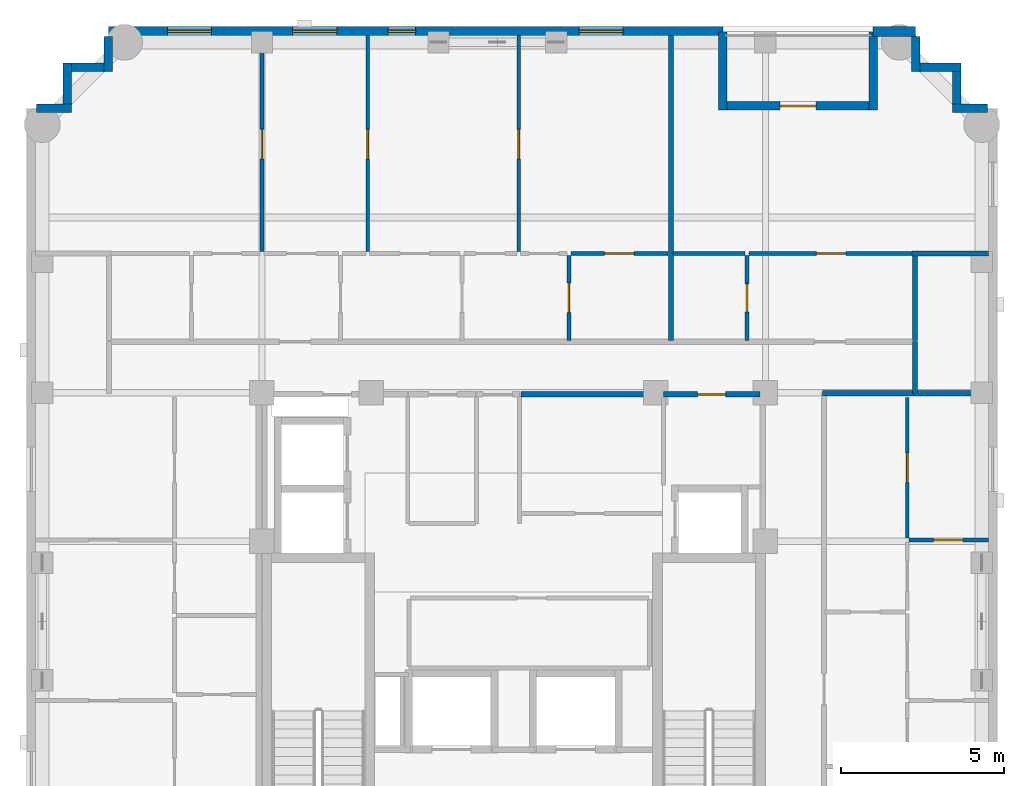
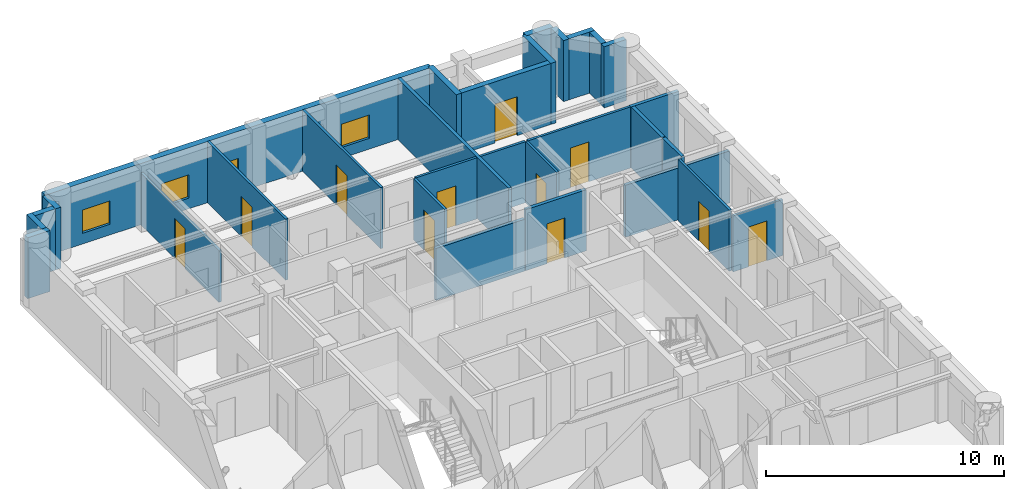
# One storey, part 7 of 11: 30 walls, 11 doors, 4 windows, 15 openings.
"""IFC4 building model written with IfcOpenShell, lengths in metres."""

from ifc_helpers import new_model, si_unit, derived_unit, direction, frame, frame_2d, origin, place, context, subcontext, project, spatial, rectangle, extrude, material, layer, layer_set, type_object, element, fill, save


model = new_model("IFC4")

# Units and contexts
model_context = context("Model", 3, precision=1e-05, world=origin(), true_north=direction((0.0, 1.0)))
body_context = subcontext(model_context, "Body", "Model", "MODEL_VIEW")
ifc_project = project(units=[si_unit("LENGTHUNIT", "METRE"), si_unit("AREAUNIT", "SQUARE_METRE"), si_unit("VOLUMEUNIT", "CUBIC_METRE"), si_unit("PLANEANGLEUNIT", "RADIAN"), si_unit("MASSUNIT", "GRAM", prefix="KILO"), derived_unit("THERMALTRANSMITTANCEUNIT", [(si_unit("MASSUNIT", "GRAM", prefix="KILO"), 1), (si_unit("TIMEUNIT", "SECOND"), -3), (si_unit("THERMODYNAMICTEMPERATUREUNIT", "KELVIN"), -1)])], contexts=[model_context])

# Site, building, storey
site_placement = place(None, origin())
site = spatial("IfcSite", under=ifc_project, at=site_placement, CompositionType="ELEMENT")
building_placement = place(site_placement, origin())
building = spatial("IfcBuilding", under=site, at=building_placement, Name="Korrvale Station Residences", CompositionType="ELEMENT")
storey_placement = place(building_placement, frame((0.0, 0.0, 224.10009765625)))
storey = spatial("IfcBuildingStorey", under=building, at=storey_placement, Name="L65", CompositionType="ELEMENT", Elevation=224.10009765625)

# Wall
ifc_material_1 = material(Name="Precast concrete C45/55", Category="concrete")
ifc_layer_1 = layer(ifc_material_1, 0.260009765625, Name="Precast concrete C45/55")
ifc_layer_set_1 = layer_set([ifc_layer_1], Name="Precast concrete C45/55")
wall_type_1 = type_object("IfcWallType", Name="WAL-EXT-LOG260", PredefinedType="SOLIDWALL", material=ifc_layer_set_1)
wall_1_placement = place(storey_placement, frame((31.89990234375, 40.0400390625, 0.0), z_axis=(0.0, 0.0, 1.0), x_axis=(0.0, -1.0, 0.0)))
element("IfcWall", 1, at=wall_1_placement, inside=storey, type_object=wall_type_1, Name="L65 Recessed Loggia Wall BAL-L65-N1-L", PredefinedType="SOLIDWALL", context=body_context, shape_type="SweptSolid", body=[
    extrude(rectangle(XDim=2.400146484375, YDim=0.260009765625, at=frame_2d((1.2001953125, 0.0))), origin(), (0.0, 0.0, 1.0), 3.139892578125),
])

# Wall, opening, door
wall_2_placement = place(storey_placement, frame((32.033935546875, 37.77001953125, 0.0), z_axis=(0.0, 0.0, 1.0), x_axis=(1.0, 0.0, 0.0)))
wall_2 = element("IfcWall", 2, at=wall_2_placement, inside=storey, type_object=wall_type_1, Name="L65 Recessed Loggia Wall BAL-L65-N1-B", PredefinedType="SOLIDWALL", context=body_context, shape_type="SweptSolid", body=[
    extrude(rectangle(XDim=4.33203125, YDim=0.260009765625, at=frame_2d((2.166015625, 0.0))), origin(), (0.0, 0.0, 1.0), 3.139892578125),
])
opening_1_placement = place(wall_2_placement, frame((1.615966796875, 0.0, 0.0)))
opening_1 = element("IfcOpeningElement", 3, at=opening_1_placement, cuts=wall_2, Name="Opening BD-01", PredefinedType="OPENING", context=body_context, shape_type="SweptSolid", body=[
    extrude(rectangle(XDim=1.10009765625, YDim=2.0, at=frame_2d((0.550048828125, 1.0))), frame((0.0, 0.14013671875, 0.0), z_axis=(0.0, -1.0, 0.0), x_axis=(1.0, 0.0, 0.0)), (0.0, 0.0, 1.0), 0.280029296875),
])
ifc_material_2 = material(Name="Exterior thermally broken aluminium glazed balcony door", Category="aluminium")
door_type_1 = type_object("IfcDoorType", Name="DR-EXT-BAL", OperationType="NOTDEFINED", PredefinedType="DOOR", material=ifc_material_2)
door_1_placement = place(opening_1_placement, origin())
door_1 = element("IfcDoor", 4, at=door_1_placement, inside=storey, type_object=door_type_1, Name="L65 Loggia Balcony Door BAL-L65-N1", OperationType="SINGLE_SWING_LEFT", OverallHeight=2.0, OverallWidth=1.10009765625, PredefinedType="DOOR", context=body_context, shape_type="SweptSolid", body=[
    extrude(rectangle(XDim=1.10009765625, YDim=2.0, at=frame_2d((0.550048828125, 1.0))), frame((0.0, 0.02490234375, 0.0), z_axis=(0.0, -1.0, 0.0), x_axis=(1.0, 0.0, 0.0)), (0.0, 0.0, 1.0), 0.050048828125),
])
fill(opening_1, door_1)

# Walls
wall_3_placement = place(storey_placement, frame((36.5, 37.639892578125, 0.0), z_axis=(0.0, 0.0, 1.0), x_axis=(0.0, 1.0, 0.0)))
element("IfcWall", 5, at=wall_3_placement, inside=storey, type_object=wall_type_1, Name="L65 Recessed Loggia Wall BAL-L65-N1-R", PredefinedType="SOLIDWALL", context=body_context, shape_type="SweptSolid", body=[
    extrude(rectangle(XDim=2.400146484375, YDim=0.260009765625, at=frame_2d((1.2001953125, 0.0))), origin(), (0.0, 0.0, 1.0), 3.139892578125),
])
wall_4_placement = place(storey_placement, frame((10.902099609375, 37.699951171875, 0.0), z_axis=(0.0, 0.0, 1.0), x_axis=(1.0, 0.0, 0.0)))
element("IfcWall", 6, at=wall_4_placement, inside=storey, type_object=wall_type_1, Name="L65 Serrated Corner Precast Step NW-1", PredefinedType="SOLIDWALL", context=body_context, shape_type="SweptSolid", body=[
    extrude(rectangle(XDim=1.077880859375, YDim=0.260009765625, at=frame_2d((0.5390625, 0.0))), origin(), (0.0, 0.0, 1.0), 3.139892578125),
])
wall_5_placement = place(storey_placement, frame((11.85009765625, 37.83203125, 0.0), z_axis=(0.0, 0.0, 1.0), x_axis=(0.0, 1.0, 0.0)))
element("IfcWall", 7, at=wall_5_placement, inside=storey, type_object=wall_type_1, Name="L65 Serrated Corner Precast Step NW-2", PredefinedType="SOLIDWALL", context=body_context, shape_type="SweptSolid", body=[
    extrude(rectangle(XDim=1.248046875, YDim=0.260009765625, at=frame_2d((0.6240234375, 0.0))), origin(), (0.0, 0.0, 1.0), 3.139892578125),
])
wall_6_placement = place(storey_placement, frame((11.98193359375, 38.949951171875, 0.0), z_axis=(0.0, 0.0, 1.0), x_axis=(1.0, 0.0, 0.0)))
element("IfcWall", 8, at=wall_6_placement, inside=storey, type_object=wall_type_1, Name="L65 Serrated Corner Precast Step NW-3", PredefinedType="SOLIDWALL", context=body_context, shape_type="SweptSolid", body=[
    extrude(rectangle(XDim=0.986083984375, YDim=0.260009765625, at=frame_2d((0.4931640625, 0.0))), origin(), (0.0, 0.0, 1.0), 3.139892578125),
])
for number, where, z_axis, x_axis, name in (
    (9, (13.10009765625, 38.820068359375, 0.0), (0.0, 0.0, 1.0), (0.0, 1.0, 0.0), "L65 Serrated Corner Precast Step NW-4"),
    (10, (37.800048828125, 39.89794921875, 0.0), (0.0, 0.0, 1.0), (0.0, -1.0, 0.0), "L65 Serrated Corner Precast Step NE-1"),
):
    element("IfcWall", number, at=place(storey_placement, frame(where, z_axis=z_axis, x_axis=x_axis)), inside=storey, type_object=wall_type_1, Name=name, PredefinedType="SOLIDWALL", context=body_context, shape_type="SweptSolid", body=[
        extrude(rectangle(XDim=1.077880859375, YDim=0.260009765625, at=frame_2d((0.5390625, 0.0))), origin(), (0.0, 0.0, 1.0), 3.139892578125),
    ])
wall_7_placement = place(storey_placement, frame((37.931884765625, 38.949951171875, 0.0), z_axis=(0.0, 0.0, 1.0), x_axis=(1.0, 0.0, 0.0)))
element("IfcWall", 11, at=wall_7_placement, inside=storey, type_object=wall_type_1, Name="L65 Serrated Corner Precast Step NE-2", PredefinedType="SOLIDWALL", context=body_context, shape_type="SweptSolid", body=[
    extrude(rectangle(XDim=1.248046875, YDim=0.260009765625, at=frame_2d((0.6240234375, 0.0))), origin(), (0.0, 0.0, 1.0), 3.139892578125),
])
wall_8_placement = place(storey_placement, frame((39.050048828125, 38.818115234375, 0.0), z_axis=(0.0, 0.0, 1.0), x_axis=(0.0, -1.0, 0.0)))
element("IfcWall", 12, at=wall_8_placement, inside=storey, type_object=wall_type_1, Name="L65 Serrated Corner Precast Step NE-3", PredefinedType="SOLIDWALL", context=body_context, shape_type="SweptSolid", body=[
    extrude(rectangle(XDim=0.986083984375, YDim=0.260009765625, at=frame_2d((0.4931640625, 0.0))), origin(), (0.0, 0.0, 1.0), 3.139892578125),
])
wall_9_placement = place(storey_placement, frame((38.919921875, 37.699951171875, 0.0), z_axis=(0.0, 0.0, 1.0), x_axis=(1.0, 0.0, 0.0)))
element("IfcWall", 13, at=wall_9_placement, inside=storey, type_object=wall_type_1, Name="L65 Serrated Corner Precast Step NE-4", PredefinedType="SOLIDWALL", context=body_context, shape_type="SweptSolid", body=[
    extrude(rectangle(XDim=1.078125, YDim=0.260009765625, at=frame_2d((0.5390625, 0.0))), origin(), (0.0, 0.0, 1.0), 3.139892578125),
])

# Wall, openings, windows
ifc_layer_2 = layer(ifc_material_1, 0.300048828125, Name="Precast concrete C45/55")
ifc_layer_set_2 = layer_set([ifc_layer_2], Name="Precast concrete C45/55")
wall_type_2 = type_object("IfcWallType", Name="WAL-EXT-PC300", PredefinedType="SOLIDWALL", material=ifc_layer_set_2)
wall_10_placement = place(storey_placement, frame((13.10009765625, 40.050048828125, 0.0), z_axis=(0.0, 0.0, 1.0), x_axis=(1.0, 0.0, 0.0)))
wall_10 = element("IfcWall", 14, at=wall_10_placement, inside=storey, type_object=wall_type_2, Name="L65 North Exterior Precast Wall 1", PredefinedType="SOLIDWALL", context=body_context, shape_type="SweptSolid", body=[
    extrude(rectangle(XDim=18.7998046875, YDim=0.300048828125, at=frame_2d((9.39990234375, 0.0))), origin(), (0.0, 0.0, 1.0), 3.139892578125),
])
opening_2_placement = place(wall_10_placement, frame((1.805908203125, 0.0, 0.550048828125)))
opening_2 = element("IfcOpeningElement", 15, at=opening_2_placement, cuts=wall_10, Name="Opening W-10", PredefinedType="OPENING", context=body_context, shape_type="SweptSolid", body=[
    extrude(rectangle(XDim=1.35009765625, YDim=1.199951171875, at=frame_2d((0.675048828125, 0.60009765625))), frame((0.0, 0.16015625, 0.0), z_axis=(0.0, -1.0, 0.0), x_axis=(1.0, 0.0, 0.0)), (0.0, 0.0, 1.0), 0.320068359375),
])
opening_3_placement = place(wall_10_placement, frame((5.64111328125, 0.0, 0.550048828125)))
opening_3 = element("IfcOpeningElement", 16, at=opening_3_placement, cuts=wall_10, Name="Opening W-10", PredefinedType="OPENING", context=body_context, shape_type="SweptSolid", body=[
    extrude(rectangle(XDim=1.35009765625, YDim=1.199951171875, at=frame_2d((0.675048828125, 0.60009765625))), frame((0.0, 0.16015625, 0.0), z_axis=(0.0, -1.0, 0.0), x_axis=(1.0, 0.0, 0.0)), (0.0, 0.0, 1.0), 0.320068359375),
])
opening_4_placement = place(wall_10_placement, frame((8.550048828125, 0.0, 0.550048828125)))
opening_4 = element("IfcOpeningElement", 17, at=opening_4_placement, cuts=wall_10, Name="Opening W-11", PredefinedType="OPENING", context=body_context, shape_type="SweptSolid", body=[
    extrude(rectangle(XDim=0.85009765625, YDim=1.199951171875, at=frame_2d((0.425048828125, 0.60009765625))), frame((0.0, 0.16015625, 0.0), z_axis=(0.0, -1.0, 0.0), x_axis=(1.0, 0.0, 0.0)), (0.0, 0.0, 1.0), 0.320068359375),
])
opening_5_placement = place(wall_10_placement, frame((14.39990234375, 0.0, 0.550048828125)))
opening_5 = element("IfcOpeningElement", 18, at=opening_5_placement, cuts=wall_10, Name="Opening W-10", PredefinedType="OPENING", context=body_context, shape_type="SweptSolid", body=[
    extrude(rectangle(XDim=1.35009765625, YDim=1.199951171875, at=frame_2d((0.675048828125, 0.60009765625))), frame((0.0, 0.16015625, 0.0), z_axis=(0.0, -1.0, 0.0), x_axis=(1.0, 0.0, 0.0)), (0.0, 0.0, 1.0), 0.320068359375),
])
ifc_material_3 = material(Name="Thermally broken aluminium frame with triple low-e glazing", Category="aluminium")
window_type_1 = type_object("IfcWindowType", Name="WIN-W10", PartitioningType="SINGLE_PANEL", PredefinedType="WINDOW", material=ifc_material_3)
window_1_placement = place(opening_2_placement, origin())
window_1 = element("IfcWindow", 19, at=window_1_placement, inside=storey, type_object=window_type_1, Name="L65 Punched Window 08", OverallHeight=1.199951171875, OverallWidth=1.35009765625, PartitioningType="SINGLE_PANEL", PredefinedType="WINDOW", context=body_context, shape_type="SweptSolid", body=[
    extrude(rectangle(XDim=1.35009765625, YDim=1.199951171875, at=frame_2d((0.675048828125, 0.60009765625))), frame((0.0, 0.030029296875, 0.0), z_axis=(0.0, -1.0, 0.0), x_axis=(1.0, 0.0, 0.0)), (0.0, 0.0, 1.0), 0.06005859375),
])
fill(opening_2, window_1)
window_2_placement = place(opening_3_placement, origin())
window_2 = element("IfcWindow", 20, at=window_2_placement, inside=storey, type_object=window_type_1, Name="L65 Punched Window 09", OverallHeight=1.199951171875, OverallWidth=1.35009765625, PartitioningType="SINGLE_PANEL", PredefinedType="WINDOW", context=body_context, shape_type="SweptSolid", body=[
    extrude(rectangle(XDim=1.35009765625, YDim=1.199951171875, at=frame_2d((0.675048828125, 0.60009765625))), frame((0.0, 0.030029296875, 0.0), z_axis=(0.0, -1.0, 0.0), x_axis=(1.0, 0.0, 0.0)), (0.0, 0.0, 1.0), 0.06005859375),
])
fill(opening_3, window_2)
window_3_placement = place(opening_5_placement, origin())
window_3 = element("IfcWindow", 21, at=window_3_placement, inside=storey, type_object=window_type_1, Name="L65 Punched Window 11", OverallHeight=1.199951171875, OverallWidth=1.35009765625, PartitioningType="SINGLE_PANEL", PredefinedType="WINDOW", context=body_context, shape_type="SweptSolid", body=[
    extrude(rectangle(XDim=1.35009765625, YDim=1.199951171875, at=frame_2d((0.675048828125, 0.60009765625))), frame((0.0, 0.030029296875, 0.0), z_axis=(0.0, -1.0, 0.0), x_axis=(1.0, 0.0, 0.0)), (0.0, 0.0, 1.0), 0.06005859375),
])
fill(opening_5, window_3)
window_type_2 = type_object("IfcWindowType", Name="WIN-W11", PartitioningType="SINGLE_PANEL", PredefinedType="WINDOW", material=ifc_material_3)
window_4_placement = place(opening_4_placement, origin())
window_4 = element("IfcWindow", 22, at=window_4_placement, inside=storey, type_object=window_type_2, Name="L65 Punched Window 10", OverallHeight=1.199951171875, OverallWidth=0.85009765625, PartitioningType="SINGLE_PANEL", PredefinedType="WINDOW", context=body_context, shape_type="SweptSolid", body=[
    extrude(rectangle(XDim=0.85009765625, YDim=1.199951171875, at=frame_2d((0.425048828125, 0.60009765625))), frame((0.0, 0.030029296875, 0.0), z_axis=(0.0, -1.0, 0.0), x_axis=(1.0, 0.0, 0.0)), (0.0, 0.0, 1.0), 0.06005859375),
])
fill(opening_4, window_4)

# Wall
wall_11_placement = place(storey_placement, frame((36.5, 40.050048828125, 0.0), z_axis=(0.0, 0.0, 1.0), x_axis=(1.0, 0.0, 0.0)))
element("IfcWall", 23, at=wall_11_placement, inside=storey, type_object=wall_type_2, Name="L65 North Exterior Precast Wall 2", PredefinedType="SOLIDWALL", context=body_context, shape_type="SweptSolid", body=[
    extrude(rectangle(XDim=1.300048828125, YDim=0.300048828125, at=frame_2d((0.64990234375, 0.0))), origin(), (0.0, 0.0, 1.0), 3.139892578125),
])

# Wall, opening, door
ifc_material_4 = material(Name="Acoustic steel-stud gypsum board partition", Category="steel")
ifc_layer_3 = layer(ifc_material_4, 0.1201171875, Name="Acoustic steel-stud gypsum board partition")
ifc_layer_set_3 = layer_set([ifc_layer_3], Name="Acoustic steel-stud gypsum board partition")
wall_type_3 = type_object("IfcWallType", Name="WAL-PART-125", PredefinedType="PARTITIONING", material=ifc_layer_set_3)
wall_12_placement = place(storey_placement, frame((27.18994140625, 30.60009765625, 0.0), z_axis=(0.0, 0.0, 1.0), x_axis=(0.0, 1.0, 0.0)))
wall_12 = element("IfcWall", 24, at=wall_12_placement, inside=storey, type_object=wall_type_3, Name="L65 Suite Partition U02-V34", PredefinedType="PARTITIONING", context=body_context, shape_type="SweptSolid", body=[
    extrude(rectangle(XDim=2.599853515625, YDim=0.1201171875, at=frame_2d((1.2998046875, 0.0))), origin(), (0.0, 0.0, 1.0), 3.139892578125),
])
opening_6_placement = place(wall_12_placement, frame((0.85009765625, 0.0, 0.0)))
opening_6 = element("IfcOpeningElement", 25, at=opening_6_placement, cuts=wall_12, Name="Opening DI-900", PredefinedType="OPENING", context=body_context, shape_type="SweptSolid", body=[
    extrude(rectangle(XDim=0.89990234375, YDim=2.050048828125, at=frame_2d((0.449951171875, 1.02490234375))), frame((0.0, 0.070068359375, 0.0), z_axis=(0.0, -1.0, 0.0), x_axis=(1.0, 0.0, 0.0)), (0.0, 0.0, 1.0), 0.14013671875),
])
ifc_material_5 = material(Name="Painted solid-core timber interior room door", Category="wood")
door_type_2 = type_object("IfcDoorType", Name="DR-INT-900", OperationType="NOTDEFINED", PredefinedType="DOOR", material=ifc_material_5)
door_2_placement = place(opening_6_placement, origin())
door_2 = element("IfcDoor", 26, at=door_2_placement, inside=storey, type_object=door_type_2, Name="L65 Apartment 2BR L65-U02 Storage Closet 2 Door", OperationType="SINGLE_SWING_LEFT", OverallHeight=2.050048828125, OverallWidth=0.89990234375, PredefinedType="DOOR", context=body_context, shape_type="SweptSolid", body=[
    extrude(rectangle(XDim=0.89990234375, YDim=2.050048828125, at=frame_2d((0.449951171875, 1.02490234375))), frame((0.0, 0.02490234375, 0.0), z_axis=(0.0, -1.0, 0.0), x_axis=(1.0, 0.0, 0.0)), (0.0, 0.0, 1.0), 0.050048828125),
])
fill(opening_6, door_2)

wall_13_placement = place(storey_placement, frame((27.25, 33.260009765625, 0.0), z_axis=(0.0, 0.0, 1.0), x_axis=(1.0, 0.0, 0.0)))
wall_13 = element("IfcWall", 27, at=wall_13_placement, inside=storey, type_object=wall_type_3, Name="L65 Suite Partition U02-H48", PredefinedType="PARTITIONING", context=body_context, shape_type="SweptSolid", body=[
    extrude(rectangle(XDim=2.967041015625, YDim=0.1201171875, at=frame_2d((1.4833984375, 0.0))), origin(), (0.0, 0.0, 1.0), 3.139892578125),
])
opening_7_placement = place(wall_13_placement, frame((1.032958984375, 0.0, 0.0)))
opening_7 = element("IfcOpeningElement", 28, at=opening_7_placement, cuts=wall_13, Name="Opening DI-900", PredefinedType="OPENING", context=body_context, shape_type="SweptSolid", body=[
    extrude(rectangle(XDim=0.89990234375, YDim=2.050048828125, at=frame_2d((0.449951171875, 1.02490234375))), frame((0.0, 0.070068359375, 0.0), z_axis=(0.0, -1.0, 0.0), x_axis=(1.0, 0.0, 0.0)), (0.0, 0.0, 1.0), 0.14013671875),
])
door_3_placement = place(opening_7_placement, origin())
door_3 = element("IfcDoor", 29, at=door_3_placement, inside=storey, type_object=door_type_2, Name="L65 Apartment 2BR L65-U02 Storage Closet 3 Door", OperationType="SINGLE_SWING_RIGHT", OverallHeight=2.050048828125, OverallWidth=0.89990234375, PredefinedType="DOOR", context=body_context, shape_type="SweptSolid", body=[
    extrude(rectangle(XDim=0.89990234375, YDim=2.050048828125, at=frame_2d((0.449951171875, 1.02490234375))), frame((0.0, 0.02490234375, 0.0), z_axis=(0.0, -1.0, 0.0), x_axis=(1.0, 0.0, 0.0)), (0.0, 0.0, 1.0), 0.050048828125),
])
fill(opening_7, door_3)

wall_14_placement = place(storey_placement, frame((17.800048828125, 33.320068359375, 0.0), z_axis=(0.0, 0.0, 1.0), x_axis=(0.0, 1.0, 0.0)))
wall_14 = element("IfcWall", 30, at=wall_14_placement, inside=storey, type_object=wall_type_3, Name="L65 Suite Partition U02-V56", PredefinedType="PARTITIONING", context=body_context, shape_type="SweptSolid", body=[
    extrude(rectangle(XDim=6.599853515625, YDim=0.1201171875, at=frame_2d((3.2998046875, 0.0))), origin(), (0.0, 0.0, 1.0), 2.66796875),
])
opening_8_placement = place(wall_14_placement, frame((2.8349609375, 0.0, 0.0)))
opening_8 = element("IfcOpeningElement", 31, at=opening_8_placement, cuts=wall_14, Name="Opening DI-900", PredefinedType="OPENING", context=body_context, shape_type="SweptSolid", body=[
    extrude(rectangle(XDim=0.89990234375, YDim=2.050048828125, at=frame_2d((0.449951171875, 1.02490234375))), frame((0.0, 0.070068359375, 0.0), z_axis=(0.0, -1.0, 0.0), x_axis=(1.0, 0.0, 0.0)), (0.0, 0.0, 1.0), 0.14013671875),
])
door_4_placement = place(opening_8_placement, origin())
door_4 = element("IfcDoor", 32, at=door_4_placement, inside=storey, type_object=door_type_2, Name="L65 Apartment 2BR L65-U02 Living and Dining Room Door", OperationType="SINGLE_SWING_LEFT", OverallHeight=2.050048828125, OverallWidth=0.89990234375, PredefinedType="DOOR", context=body_context, shape_type="SweptSolid", body=[
    extrude(rectangle(XDim=0.89990234375, YDim=2.050048828125, at=frame_2d((0.449951171875, 1.02490234375))), frame((0.0, 0.02490234375, 0.0), z_axis=(0.0, -1.0, 0.0), x_axis=(1.0, 0.0, 0.0)), (0.0, 0.0, 1.0), 0.050048828125),
])
fill(opening_8, door_4)

wall_15_placement = place(storey_placement, frame((21.037109375, 33.320068359375, 0.0), z_axis=(0.0, 0.0, 1.0), x_axis=(0.0, 1.0, 0.0)))
wall_15 = element("IfcWall", 33, at=wall_15_placement, inside=storey, type_object=wall_type_3, Name="L65 Suite Partition U02-V67", PredefinedType="PARTITIONING", context=body_context, shape_type="SweptSolid", body=[
    extrude(rectangle(XDim=6.599853515625, YDim=0.1201171875, at=frame_2d((3.2998046875, 0.0))), origin(), (0.0, 0.0, 1.0), 3.139892578125),
])
opening_9_placement = place(wall_15_placement, frame((2.8349609375, 0.0, 0.0)))
opening_9 = element("IfcOpeningElement", 34, at=opening_9_placement, cuts=wall_15, Name="Opening DI-900", PredefinedType="OPENING", context=body_context, shape_type="SweptSolid", body=[
    extrude(rectangle(XDim=0.89990234375, YDim=2.050048828125, at=frame_2d((0.449951171875, 1.02490234375))), frame((0.0, 0.070068359375, 0.0), z_axis=(0.0, -1.0, 0.0), x_axis=(1.0, 0.0, 0.0)), (0.0, 0.0, 1.0), 0.14013671875),
])
door_5_placement = place(opening_9_placement, origin())
door_5 = element("IfcDoor", 35, at=door_5_placement, inside=storey, type_object=door_type_2, Name="L65 Apartment 2BR L65-U02 Formal Dining Room Door", OperationType="SINGLE_SWING_RIGHT", OverallHeight=2.050048828125, OverallWidth=0.89990234375, PredefinedType="DOOR", context=body_context, shape_type="SweptSolid", body=[
    extrude(rectangle(XDim=0.89990234375, YDim=2.050048828125, at=frame_2d((0.449951171875, 1.02490234375))), frame((0.0, 0.02490234375, 0.0), z_axis=(0.0, -1.0, 0.0), x_axis=(1.0, 0.0, 0.0)), (0.0, 0.0, 1.0), 0.050048828125),
])
fill(opening_9, door_5)

wall_16_placement = place(storey_placement, frame((25.656982421875, 33.320068359375, 0.0), z_axis=(0.0, 0.0, 1.0), x_axis=(0.0, 1.0, 0.0)))
wall_16 = element("IfcWall", 36, at=wall_16_placement, inside=storey, type_object=wall_type_3, Name="L65 Suite Partition U02-V78", PredefinedType="PARTITIONING", context=body_context, shape_type="SweptSolid", body=[
    extrude(rectangle(XDim=6.599853515625, YDim=0.1201171875, at=frame_2d((3.2998046875, 0.0))), origin(), (0.0, 0.0, 1.0), 3.139892578125),
])
opening_10_placement = place(wall_16_placement, frame((2.8349609375, 0.0, 0.0)))
opening_10 = element("IfcOpeningElement", 37, at=opening_10_placement, cuts=wall_16, Name="Opening DI-900", PredefinedType="OPENING", context=body_context, shape_type="SweptSolid", body=[
    extrude(rectangle(XDim=0.89990234375, YDim=2.050048828125, at=frame_2d((0.449951171875, 1.02490234375))), frame((0.0, 0.070068359375, 0.0), z_axis=(0.0, -1.0, 0.0), x_axis=(1.0, 0.0, 0.0)), (0.0, 0.0, 1.0), 0.14013671875),
])
door_6_placement = place(opening_10_placement, origin())
door_6 = element("IfcDoor", 38, at=door_6_placement, inside=storey, type_object=door_type_2, Name="L65 Apartment 2BR L65-U02 Bedroom 1 Door", OperationType="SINGLE_SWING_LEFT", OverallHeight=2.050048828125, OverallWidth=0.89990234375, PredefinedType="DOOR", context=body_context, shape_type="SweptSolid", body=[
    extrude(rectangle(XDim=0.89990234375, YDim=2.050048828125, at=frame_2d((0.449951171875, 1.02490234375))), frame((0.0, 0.02490234375, 0.0), z_axis=(0.0, -1.0, 0.0), x_axis=(1.0, 0.0, 0.0)), (0.0, 0.0, 1.0), 0.050048828125),
])
fill(opening_10, door_6)

wall_17_placement = place(storey_placement, frame((32.639892578125, 30.60009765625, 0.0), z_axis=(0.0, 0.0, 1.0), x_axis=(0.0, 1.0, 0.0)))
wall_17 = element("IfcWall", 39, at=wall_17_placement, inside=storey, type_object=wall_type_3, Name="L65 Suite Partition U03-V01", PredefinedType="PARTITIONING", context=body_context, shape_type="SweptSolid", body=[
    extrude(rectangle(XDim=2.599853515625, YDim=0.1201171875, at=frame_2d((1.2998046875, 0.0))), origin(), (0.0, 0.0, 1.0), 3.139892578125),
])
opening_11_placement = place(wall_17_placement, frame((0.8701171875, 0.0, 0.0)))
opening_11 = element("IfcOpeningElement", 40, at=opening_11_placement, cuts=wall_17, Name="Opening DB-860", PredefinedType="OPENING", context=body_context, shape_type="SweptSolid", body=[
    extrude(rectangle(XDim=0.860107421875, YDim=2.050048828125, at=frame_2d((0.43017578125, 1.02490234375))), frame((0.0, 0.070068359375, 0.0), z_axis=(0.0, -1.0, 0.0), x_axis=(1.0, 0.0, 0.0)), (0.0, 0.0, 1.0), 0.14013671875),
])
ifc_material_6 = material(Name="Moisture-resistant solid-core bathroom door", Category="timber")
door_type_3 = type_object("IfcDoorType", Name="DR-BATH-860", OperationType="NOTDEFINED", PredefinedType="DOOR", material=ifc_material_6)
door_7_placement = place(opening_11_placement, origin())
door_7 = element("IfcDoor", 41, at=door_7_placement, inside=storey, type_object=door_type_3, Name="L65 Studio Apartment L65-U03 Bathroom Door", OperationType="SINGLE_SWING_RIGHT", OverallHeight=2.050048828125, OverallWidth=0.860107421875, PredefinedType="DOOR", context=body_context, shape_type="SweptSolid", body=[
    extrude(rectangle(XDim=0.860107421875, YDim=2.050048828125, at=frame_2d((0.43017578125, 1.02490234375))), frame((0.0, 0.02490234375, 0.0), z_axis=(0.0, -1.0, 0.0), x_axis=(1.0, 0.0, 0.0)), (0.0, 0.0, 1.0), 0.050048828125),
])
fill(opening_11, door_7)

# Wall
wall_18_placement = place(storey_placement, frame((30.376953125, 33.260009765625, 0.0), z_axis=(0.0, 0.0, 1.0), x_axis=(1.0, 0.0, 0.0)))
element("IfcWall", 42, at=wall_18_placement, inside=storey, type_object=wall_type_3, Name="L65 Suite Partition U03-H02", PredefinedType="PARTITIONING", context=body_context, shape_type="SweptSolid", body=[
    extrude(rectangle(XDim=2.203125, YDim=0.1201171875, at=frame_2d((1.1015625, 0.0))), origin(), (0.0, 0.0, 1.0), 3.139892578125),
])

# Wall, opening, door
wall_19_placement = place(storey_placement, frame((32.699951171875, 33.260009765625, 0.0), z_axis=(0.0, 0.0, 1.0), x_axis=(1.0, 0.0, 0.0)))
wall_19 = element("IfcWall", 43, at=wall_19_placement, inside=storey, type_object=wall_type_3, Name="L65 Suite Partition U03-H12", PredefinedType="PARTITIONING", context=body_context, shape_type="SweptSolid", body=[
    extrude(rectangle(XDim=5.02001953125, YDim=0.1201171875, at=frame_2d((2.510009765625, 0.0))), origin(), (0.0, 0.0, 1.0), 3.139892578125),
])
opening_12_placement = place(wall_19_placement, frame((2.06005859375, 0.0, 0.0)))
opening_12 = element("IfcOpeningElement", 44, at=opening_12_placement, cuts=wall_19, Name="Opening DI-900", PredefinedType="OPENING", context=body_context, shape_type="SweptSolid", body=[
    extrude(rectangle(XDim=0.89990234375, YDim=2.050048828125, at=frame_2d((0.449951171875, 1.02490234375))), frame((0.0, 0.070068359375, 0.0), z_axis=(0.0, -1.0, 0.0), x_axis=(1.0, 0.0, 0.0)), (0.0, 0.0, 1.0), 0.14013671875),
])
door_8_placement = place(opening_12_placement, origin())
door_8 = element("IfcDoor", 45, at=door_8_placement, inside=storey, type_object=door_type_2, Name="L65 Studio Apartment L65-U03 Kitchen Door", OperationType="SINGLE_SWING_LEFT", OverallHeight=2.050048828125, OverallWidth=0.89990234375, PredefinedType="DOOR", context=body_context, shape_type="SweptSolid", body=[
    extrude(rectangle(XDim=0.89990234375, YDim=2.050048828125, at=frame_2d((0.449951171875, 1.02490234375))), frame((0.0, 0.02490234375, 0.0), z_axis=(0.0, -1.0, 0.0), x_axis=(1.0, 0.0, 0.0)), (0.0, 0.0, 1.0), 0.050048828125),
])
fill(opening_12, door_8)

wall_20_placement = place(storey_placement, frame((37.5400390625, 24.552001953125, 0.0), z_axis=(0.0, 0.0, 1.0), x_axis=(0.0, 1.0, 0.0)))
wall_20 = element("IfcWall", 46, at=wall_20_placement, inside=storey, type_object=wall_type_3, Name="L65 Suite Partition U05-V05", PredefinedType="PARTITIONING", context=body_context, shape_type="SweptSolid", body=[
    extrude(rectangle(XDim=4.30810546875, YDim=0.1201171875, at=frame_2d((2.154052734375, 0.0))), origin(), (0.0, 0.0, 1.0), 3.139892578125),
])
opening_13_placement = place(wall_20_placement, frame((1.7041015625, 0.0, 0.0)))
opening_13 = element("IfcOpeningElement", 47, at=opening_13_placement, cuts=wall_20, Name="Opening DI-900", PredefinedType="OPENING", context=body_context, shape_type="SweptSolid", body=[
    extrude(rectangle(XDim=0.89990234375, YDim=2.050048828125, at=frame_2d((0.449951171875, 1.02490234375))), frame((0.0, 0.070068359375, 0.0), z_axis=(0.0, -1.0, 0.0), x_axis=(1.0, 0.0, 0.0)), (0.0, 0.0, 1.0), 0.14013671875),
])
door_9_placement = place(opening_13_placement, origin())
door_9 = element("IfcDoor", 48, at=door_9_placement, inside=storey, type_object=door_type_2, Name="L65 Apartment 2BR L65-U05 Wardrobe Storage Room Door", OperationType="SINGLE_SWING_LEFT", OverallHeight=2.050048828125, OverallWidth=0.89990234375, PredefinedType="DOOR", context=body_context, shape_type="SweptSolid", body=[
    extrude(rectangle(XDim=0.89990234375, YDim=2.050048828125, at=frame_2d((0.449951171875, 1.02490234375))), frame((0.0, 0.02490234375, 0.0), z_axis=(0.0, -1.0, 0.0), x_axis=(1.0, 0.0, 0.0)), (0.0, 0.0, 1.0), 0.050048828125),
])
fill(opening_13, door_9)

wall_21_placement = place(storey_placement, frame((37.60009765625, 24.491943359375, 0.0), z_axis=(0.0, 0.0, 1.0), x_axis=(1.0, 0.0, 0.0)))
wall_21 = element("IfcWall", 49, at=wall_21_placement, inside=storey, type_object=wall_type_3, Name="L65 Suite Partition U05-H45", PredefinedType="PARTITIONING", context=body_context, shape_type="SweptSolid", body=[
    extrude(rectangle(XDim=2.419921875, YDim=0.1201171875, at=frame_2d((1.2099609375, 0.0))), origin(), (0.0, 0.0, 1.0), 2.8779296875),
])
opening_14_placement = place(wall_21_placement, frame((0.7451171875, 0.0, 0.0)))
opening_14 = element("IfcOpeningElement", 50, at=opening_14_placement, cuts=wall_21, Name="Opening DI-900", PredefinedType="OPENING", context=body_context, shape_type="SweptSolid", body=[
    extrude(rectangle(XDim=0.89990234375, YDim=2.050048828125, at=frame_2d((0.449951171875, 1.02490234375))), frame((0.0, 0.070068359375, 0.0), z_axis=(0.0, -1.0, 0.0), x_axis=(1.0, 0.0, 0.0)), (0.0, 0.0, 1.0), 0.14013671875),
])
door_10_placement = place(opening_14_placement, origin())
door_10 = element("IfcDoor", 51, at=door_10_placement, inside=storey, type_object=door_type_2, Name="L65 Apartment 2BR L65-U05 Living and Dining Room Door", OperationType="SINGLE_SWING_RIGHT", OverallHeight=2.050048828125, OverallWidth=0.89990234375, PredefinedType="DOOR", context=body_context, shape_type="SweptSolid", body=[
    extrude(rectangle(XDim=0.89990234375, YDim=2.050048828125, at=frame_2d((0.449951171875, 1.02490234375))), frame((0.0, 0.02490234375, 0.0), z_axis=(0.0, -1.0, 0.0), x_axis=(1.0, 0.0, 0.0)), (0.0, 0.0, 1.0), 0.050048828125),
])
fill(opening_14, door_10)

ifc_material_7 = material(Name="Fire-rated twin-stud gypsum and mineral wool shaftwall assembly", Category="gypsum")
ifc_layer_4 = layer(ifc_material_7, 0.159912109375, Name="Fire-rated twin-stud gypsum and mineral wool shaftwall assembly")
ifc_layer_set_4 = layer_set([ifc_layer_4], Name="Fire-rated twin-stud gypsum and mineral wool shaftwall assembly")
wall_type_4 = type_object("IfcWallType", Name="WAL-PART-200", PredefinedType="PARTITIONING", material=ifc_layer_set_4)
wall_22_placement = place(storey_placement, frame((30.080078125, 28.949951171875, 0.0), z_axis=(0.0, 0.0, 1.0), x_axis=(1.0, 0.0, 0.0)))
wall_22 = element("IfcWall", 52, at=wall_22_placement, inside=storey, type_object=wall_type_4, Name="L65 Core Partition CW-CS-N", PredefinedType="PARTITIONING", context=body_context, shape_type="SweptSolid", body=[
    extrude(rectangle(XDim=2.9599609375, YDim=0.159912109375, at=frame_2d((1.47998046875, 0.0))), origin(), (0.0, 0.0, 1.0), 3.139892578125),
])
opening_15_placement = place(wall_22_placement, frame((1.044921875, 0.0, 0.0)))
opening_15 = element("IfcOpeningElement", 53, at=opening_15_placement, cuts=wall_22, Name="Opening DB-860", PredefinedType="OPENING", context=body_context, shape_type="SweptSolid", body=[
    extrude(rectangle(XDim=0.860107421875, YDim=2.050048828125, at=frame_2d((0.43017578125, 1.02490234375))), frame((0.0, 0.08984375, 0.0), z_axis=(0.0, -1.0, 0.0), x_axis=(1.0, 0.0, 0.0)), (0.0, 0.0, 1.0), 0.179931640625),
])
door_11_placement = place(opening_15_placement, origin())
door_11 = element("IfcDoor", 54, at=door_11_placement, inside=storey, type_object=door_type_3, Name="L65 Parcel Room Door", OperationType="SINGLE_SWING_LEFT", OverallHeight=2.050048828125, OverallWidth=0.860107421875, PredefinedType="DOOR", context=body_context, shape_type="SweptSolid", body=[
    extrude(rectangle(XDim=0.860107421875, YDim=2.050048828125, at=frame_2d((0.43017578125, 1.02490234375))), frame((0.0, 0.02490234375, 0.0), z_axis=(0.0, -1.0, 0.0), x_axis=(1.0, 0.0, 0.0)), (0.0, 0.0, 1.0), 0.050048828125),
])
fill(opening_15, door_11)

# Walls
wall_23_placement = place(storey_placement, frame((25.719970703125, 28.949951171875, 0.0), z_axis=(0.0, 0.0, 1.0), x_axis=(1.0, 0.0, 0.0)))
element("IfcWall", 55, at=wall_23_placement, inside=storey, type_object=wall_type_4, Name="L65 Core Partition CW-FPLE-N", PredefinedType="PARTITIONING", context=body_context, shape_type="SweptSolid", body=[
    extrude(rectangle(XDim=4.320068359375, YDim=0.159912109375, at=frame_2d((2.16015625, 0.0))), origin(), (0.0, 0.0, 1.0), 2.66796875),
])
wall_24_placement = place(storey_placement, frame((37.780029296875, 28.97998046875, 0.0), z_axis=(0.0, 0.0, 1.0), x_axis=(0.0, 1.0, 0.0)))
element("IfcWall", 56, at=wall_24_placement, inside=storey, type_object=wall_type_4, Name="L65 Corridor North East Cap", PredefinedType="PARTITIONING", context=body_context, shape_type="SweptSolid", body=[
    extrude(rectangle(XDim=1.580078125, YDim=0.159912109375, at=frame_2d((0.7900390625, 0.0))), origin(), (0.0, 0.0, 1.0), 3.139892578125),
])
wall_25_placement = place(storey_placement, frame((34.949951171875, 28.97998046875, 0.0), z_axis=(0.0, 0.0, 1.0), x_axis=(1.0, 0.0, 0.0)))
element("IfcWall", 57, at=wall_25_placement, inside=storey, type_object=wall_type_4, Name="L65 East Wing North Corridor Wall", PredefinedType="PARTITIONING", context=body_context, shape_type="SweptSolid", body=[
    extrude(rectangle(XDim=5.070068359375, YDim=0.159912109375, at=frame_2d((2.53515625, 0.0))), origin(), (0.0, 0.0, 1.0), 2.66796875),
])
wall_26_placement = place(storey_placement, frame((37.679931640625, 33.260009765625, 0.0), z_axis=(0.0, 0.0, 1.0), x_axis=(1.0, 0.0, 0.0)))
element("IfcWall", 58, at=wall_26_placement, inside=storey, type_object=wall_type_4, Name="L65 Corner Step Wall U03-R", PredefinedType="PARTITIONING", context=body_context, shape_type="SweptSolid", body=[
    extrude(rectangle(XDim=2.340087890625, YDim=0.159912109375, at=frame_2d((1.169921875, 0.0))), origin(), (0.0, 0.0, 1.0), 3.139892578125),
])
wall_27_placement = place(storey_placement, frame((37.780029296875, 30.60009765625, 0.0), z_axis=(0.0, 0.0, 1.0), x_axis=(0.0, 1.0, 0.0)))
element("IfcWall", 59, at=wall_27_placement, inside=storey, type_object=wall_type_4, Name="L65 Corner Step Cheek U03-R", PredefinedType="PARTITIONING", context=body_context, shape_type="SweptSolid", body=[
    extrude(rectangle(XDim=2.659912109375, YDim=0.159912109375, at=frame_2d((1.330078125, 0.0))), origin(), (0.0, 0.0, 1.0), 3.139892578125),
])
wall_28_placement = place(storey_placement, frame((30.31689453125, 30.60009765625, 0.0), z_axis=(0.0, 0.0, 1.0), x_axis=(0.0, 1.0, 0.0)))
element("IfcWall", 60, at=wall_28_placement, inside=storey, type_object=wall_type_4, Name="L65 Demising Wall U03-W", PredefinedType="PARTITIONING", context=body_context, shape_type="SweptSolid", body=[
    extrude(rectangle(XDim=9.31982421875, YDim=0.159912109375, at=frame_2d((4.659912109375, 0.0))), origin(), (0.0, 0.0, 1.0), 3.139892578125),
])

save(model, "model.ifc")
